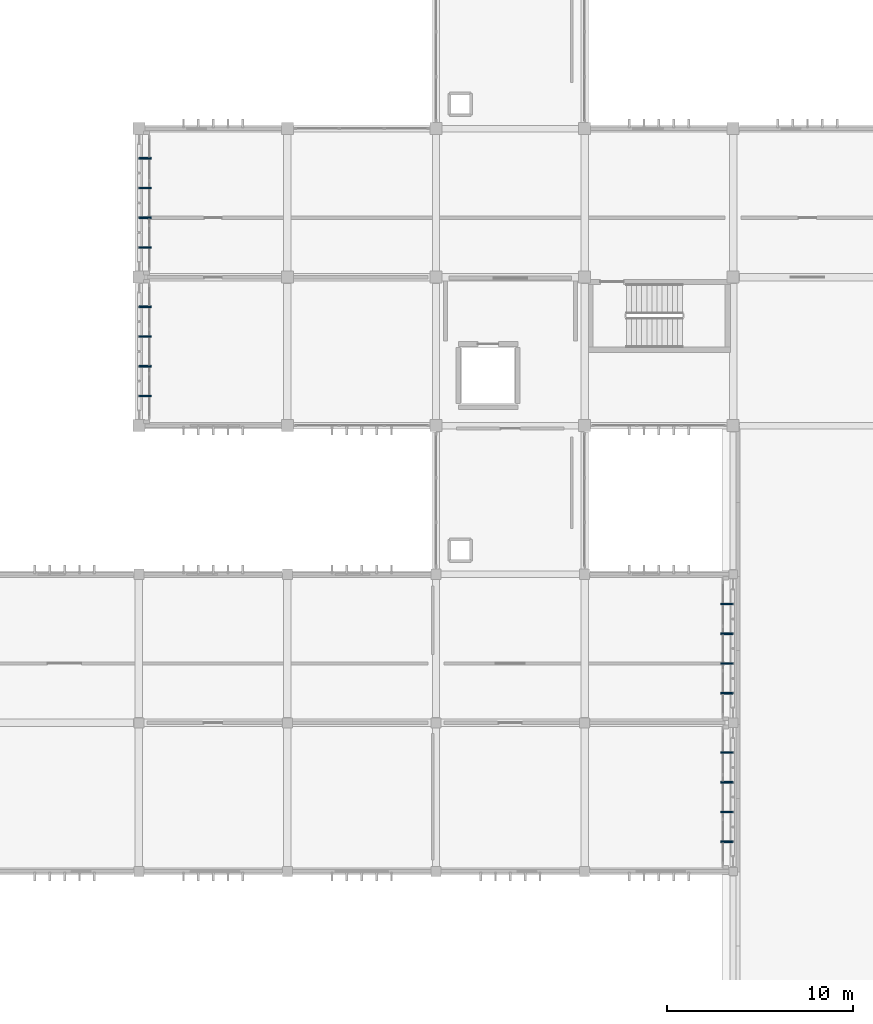
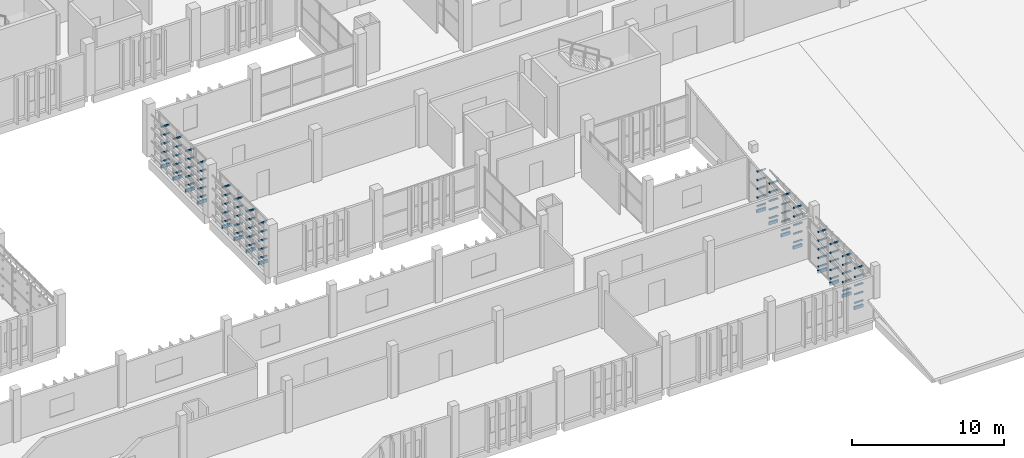
# One storey, part 77 of 83: 96 discrete accessories.
"""IFC4 building model written with IfcOpenShell, lengths in metres."""

import ifcopenshell
import ifcopenshell.guid

model = None  # the IFC model being written
_history = None  # IfcOwnerHistory: only IFC2X3 demands one
_inside = {}  # id of a spatial element -> (the spatial element, [elements in it])
_under = {}  # id of a project, library or spatial element -> (it, [spatial elements below it])
_declared = {}  # id of a project -> (the project, [libraries it declares])
_typed = {}  # id of a type object -> (the type object, [elements of that type])
_made_of = {}  # id of a material, layer set ... -> (it, [elements and type objects made of it])


def new_model(schema):
    """Start an empty IFC model of exactly this schema.

    Asked for "IFC4X3", IfcOpenShell would pick the latest addendum, in which some entities
    have other attributes; the version numbers below select the first issue.
    IFC2X3 requires an IfcOwnerHistory on every rooted entity: one is made here for all.
    """
    global model, _history
    if schema == "IFC4X3":
        model = ifcopenshell.file(schema_version=(4, 3, 0, 0))
    else:
        model = ifcopenshell.file(schema=schema)
    _inside.clear()
    _under.clear()
    _declared.clear()
    _typed.clear()
    _made_of.clear()
    _history = None
    if model.schema == "IFC2X3":
        org = make("IfcOrganization", Name="unknown")
        user = make(
            "IfcPersonAndOrganization",
            ThePerson=make("IfcPerson", FamilyName="unknown"),
            TheOrganization=org,
        )
        app = make(
            "IfcApplication",
            ApplicationDeveloper=org,
            Version="unknown",
            ApplicationFullName="unknown",
            ApplicationIdentifier="unknown",
        )
        _history = make(
            "IfcOwnerHistory",
            OwningUser=user,
            OwningApplication=app,
            ChangeAction="ADDED",
            CreationDate=0,
        )
    return model


def make(cls, **values):
    """One entity of the class cls with the attributes given. An attribute that is None is left unset."""
    return model.create_entity(
        cls, **{name: value for name, value in values.items() if value is not None}
    )


def rooted(cls, **values):
    """An entity with a GlobalId (a new one), such as an element, a storey or a relation."""
    return make(cls, GlobalId=ifcopenshell.guid.new(), OwnerHistory=_history, **values)


def si_unit(unit_type, name, prefix=None):
    """IfcSIUnit, for example si_unit("LENGTHUNIT", "METRE", prefix="MILLI")."""
    return make("IfcSIUnit", UnitType=unit_type, Prefix=prefix, Name=name)


def assignment(units):
    """IfcUnitAssignment: the units of a project."""
    return None if units is None else make("IfcUnitAssignment", Units=units)


def point(xyz):
    """IfcCartesianPoint."""
    return None if xyz is None else make("IfcCartesianPoint", Coordinates=xyz)


def direction(xyz):
    """IfcDirection."""
    return None if xyz is None else make("IfcDirection", DirectionRatios=xyz)


def frame(location, z_axis=None, x_axis=None):
    """IfcAxis2Placement3D, a coordinate frame: its origin and axes. An axis left out is left unset."""
    return make(
        "IfcAxis2Placement3D",
        Location=point(location),
        Axis=direction(z_axis),
        RefDirection=direction(x_axis),
    )


def frame_2d(location, x_axis=None):
    """IfcAxis2Placement2D, a coordinate frame in the plane: its origin and x axis."""
    return make(
        "IfcAxis2Placement2D", Location=point(location), RefDirection=direction(x_axis)
    )


def origin():
    """The frame at (0, 0, 0) with its axes left unset."""
    return frame((0.0, 0.0, 0.0))


def origin_2d():
    """The frame at (0, 0) in the plane with its x axis left unset."""
    return frame_2d((0.0, 0.0))


def place(relative_to, where):
    """IfcLocalPlacement: puts the frame where relative to a parent placement (None: the world)."""
    return make(
        "IfcLocalPlacement", PlacementRelTo=relative_to, RelativePlacement=where
    )


def context(
    kind, dimensions, precision=None, world=None, true_north=None, identifier=None
):
    """IfcGeometricRepresentationContext, for example the 3D "Model" context."""
    return make(
        "IfcGeometricRepresentationContext",
        ContextIdentifier=identifier,
        ContextType=kind,
        CoordinateSpaceDimension=dimensions,
        Precision=precision,
        WorldCoordinateSystem=world,
        TrueNorth=true_north,
    )


def subcontext(parent, identifier, kind, view, scale=None):
    """IfcGeometricRepresentationSubContext, for example "Body" below "Model"."""
    return make(
        "IfcGeometricRepresentationSubContext",
        ContextIdentifier=identifier,
        ContextType=kind,
        ParentContext=parent,
        TargetScale=scale,
        TargetView=view,
    )


def project(units=None, contexts=None):
    """IfcProject with its units and contexts."""
    return rooted(
        "IfcProject",
        Name="project",
        RepresentationContexts=contexts,
        UnitsInContext=assignment(units),
    )


def spatial(cls, under=None, at=None, **own):
    """A site, building, storey or space (cls), placed at a placement, below another one or the project."""
    s = rooted(cls, ObjectPlacement=at, **own)
    if under is not None:
        _under.setdefault(under.id(), (under, []))[1].append(s)
    return s


def profile(cls, at=None, kind="AREA", **sizes):
    """A parametric profile (cls). Its sizes go by their IFC names, for example OverallWidth=200.0."""
    return make(cls, ProfileType=kind, Position=at, **sizes)


def rectangle(**sizes):
    """IfcRectangleProfileDef."""
    return profile("IfcRectangleProfileDef", **sizes)


def extrude(swept, where, along, depth):
    """IfcExtrudedAreaSolid: the profile swept, set in the frame where, extruded along a direction by depth."""
    return make(
        "IfcExtrudedAreaSolid",
        SweptArea=swept,
        Position=where,
        ExtrudedDirection=direction(along),
        Depth=depth,
    )


def shape(context_of_items, identifier, shape_type, items):
    """IfcShapeRepresentation: the items that make up one representation, for example the "Body"."""
    return make(
        "IfcShapeRepresentation",
        ContextOfItems=context_of_items,
        RepresentationIdentifier=identifier,
        RepresentationType=shape_type,
        Items=items,
    )


def material(Name=None, Category=None):
    """IfcMaterial."""
    return make("IfcMaterial", Name=Name, Category=Category)


def made_of(thing, what):
    """Note that an element or type object is made of a material, layer set ...; save() writes the relation."""
    if what is not None:
        _made_of.setdefault(what.id(), (what, []))[1].append(thing)
    return thing


def type_object(cls, material=None, **own):
    """A type object (cls), such as IfcWallType, which elements share."""
    return made_of(rooted(cls, **own), material)


def element(
    cls,
    number,
    at=None,
    inside=None,
    cuts=None,
    type_object=None,
    material=None,
    context=None,
    identifier="Body",
    shape_type=None,
    held_by="IfcProductDefinitionShape",
    body=None,
    shapes=None,
    **own,
):
    """One element of the class cls, such as IfcWall. Its Tag is "e" and its number.

    at: its placement. inside: the storey or other place that contains it. cuts: it is an
    opening in that element (IfcRelVoidsElement). A single representation is given by context,
    identifier, shape_type and body (its items); several are given by shapes. held_by: the class
    of the entity that holds the representations. save() writes the other relations.
    """
    e = rooted(cls, Tag="e%d" % number, ObjectPlacement=at, **own)
    if body is not None:
        shapes = [shape(context, identifier, shape_type, body)]
    if shapes is not None:
        e.Representation = make(held_by, Representations=shapes)
    if inside is not None:
        _inside.setdefault(inside.id(), (inside, []))[1].append(e)
    if cuts is not None:
        rooted(
            "IfcRelVoidsElement", RelatingBuildingElement=cuts, RelatedOpeningElement=e
        )
    if type_object is not None:
        _typed.setdefault(type_object.id(), (type_object, []))[1].append(e)
    return made_of(e, material)


def aggregate(whole, parts):
    """IfcRelAggregates: a whole, such as a stair, and the parts it consists of."""
    return rooted("IfcRelAggregates", RelatingObject=whole, RelatedObjects=parts)


def save(model, path):
    """Write the relations noted so far, then the file.

    IfcRelAggregates (storeys below a building ...), IfcRelContainedInSpatialStructure (elements
    in a storey), IfcRelDefinesByType, IfcRelAssociatesMaterial and IfcRelDeclares: one each for
    every whole, place, type object, material and project.
    """
    for whole, parts in _under.values():
        aggregate(whole, parts)
    for where, things in _inside.values():
        rooted(
            "IfcRelContainedInSpatialStructure",
            RelatedElements=things,
            RelatingStructure=where,
        )
    for kind, things in _typed.values():
        rooted("IfcRelDefinesByType", RelatedObjects=things, RelatingType=kind)
    for what, things in _made_of.values():
        rooted("IfcRelAssociatesMaterial", RelatedObjects=things, RelatingMaterial=what)
    for by, libraries in _declared.values():
        rooted("IfcRelDeclares", RelatingContext=by, RelatedDefinitions=libraries)
    model.write(path)


model = new_model("IFC4")

# Units and contexts
model_context = context("Model", 3, precision=1e-05, world=origin(), true_north=direction((0.0, 1.0)))
body_context = subcontext(model_context, "Body", "Model", "MODEL_VIEW")
ifc_project = project(units=[si_unit("LENGTHUNIT", "METRE"), si_unit("AREAUNIT", "SQUARE_METRE"), si_unit("VOLUMEUNIT", "CUBIC_METRE"), si_unit("PLANEANGLEUNIT", "RADIAN"), si_unit("MASSUNIT", "GRAM", prefix="KILO")], contexts=[model_context])

# Site, building, storey
site_placement = place(None, origin())
site = spatial("IfcSite", under=ifc_project, at=site_placement, CompositionType="ELEMENT")
building_placement = place(site_placement, origin())
building = spatial("IfcBuilding", under=site, at=building_placement, Name="Jelvoka-Kovrelna Polytechnic", CompositionType="ELEMENT")
storey_placement = place(building_placement, frame((0.0, 0.0, 13.800048828125)))
storey = spatial("IfcBuildingStorey", under=building, at=storey_placement, Name="L04", CompositionType="ELEMENT", Elevation=13.800048828125)

# Discrete accessories
ifc_material = material(Name="Structural steel S355JR", Category="steel")
discrete_accessory_type = type_object("IfcDiscreteAccessoryType", Name="Bracket_Outrigger_S355", PredefinedType="BRACKET", material=ifc_material)
discrete_accessory_1_placement = place(storey_placement, frame((159.679931640625, 9.60009765625, 0.280029296875), z_axis=(0.0, 0.0, 1.0), x_axis=(1.0, 0.0, 0.0)))
element("IfcDiscreteAccessory", 1, at=discrete_accessory_1_placement, inside=storey, type_object=discrete_accessory_type, Name="L04 screen outrigger tie bracket BRKM-PLT-SCR-0081", PredefinedType="BRACKET", context=body_context, shape_type="SweptSolid", body=[
    extrude(rectangle(XDim=0.639892578125, YDim=0.080078125, at=origin_2d()), origin(), (0.0, 0.0, 1.0), 0.080078125),
])
discrete_accessory_2_placement = place(storey_placement, frame((159.659912109375, 9.60009765625, -0.199951171875), z_axis=(0.0, 0.0, 1.0), x_axis=(1.0, 0.0, 0.0)))
element("IfcDiscreteAccessory", 2, at=discrete_accessory_2_placement, inside=storey, type_object=discrete_accessory_type, Name="L04 screen outrigger tie bracket BRK-PLT-SCR-0081", PredefinedType="BRACKET", context=body_context, shape_type="SweptSolid", body=[
    extrude(rectangle(XDim=0.679931640625, YDim=0.1201171875, at=origin_2d()), origin(), (0.0, 0.0, 1.0), 0.239990234375),
])
for number, where, z_axis, x_axis, name in (
    (3, (159.679931640625, 9.60009765625, 0.972412109375), (0.0, 0.0, 1.0), (1.0, 0.0, 0.0), "L04 screen outrigger tie bracket BRKM-PLT-SCR-0082"),
    (4, (159.679931640625, 9.60009765625, 1.664794921875), (0.0, 0.0, 1.0), (1.0, 0.0, 0.0), "L04 screen outrigger tie bracket BRKM-PLT-SCR-0083"),
    (5, (159.679931640625, 9.60009765625, 2.357421875), (0.0, 0.0, 1.0), (1.0, 0.0, 0.0), "L04 screen outrigger tie bracket BRKM-PLT-SCR-0084"),
    (6, (159.679931640625, 9.60009765625, 3.0498046875), (0.0, 0.0, 1.0), (1.0, 0.0, 0.0), "L04 screen outrigger tie bracket BRKM-PLT-SCR-0085"),
    (7, (159.679931640625, 11.199951171875, 0.280029296875), (0.0, 0.0, 1.0), (1.0, 0.0, 0.0), "L04 screen outrigger tie bracket BRKM-PLT-SCR-0086"),
):
    element("IfcDiscreteAccessory", number, at=place(storey_placement, frame(where, z_axis=z_axis, x_axis=x_axis)), inside=storey, type_object=discrete_accessory_type, Name=name, PredefinedType="BRACKET", context=body_context, shape_type="SweptSolid", body=[
        extrude(rectangle(XDim=0.639892578125, YDim=0.080078125, at=origin_2d()), origin(), (0.0, 0.0, 1.0), 0.080078125),
    ])
discrete_accessory_3_placement = place(storey_placement, frame((159.659912109375, 11.199951171875, -0.199951171875), z_axis=(0.0, 0.0, 1.0), x_axis=(1.0, 0.0, 0.0)))
element("IfcDiscreteAccessory", 8, at=discrete_accessory_3_placement, inside=storey, type_object=discrete_accessory_type, Name="L04 screen outrigger tie bracket BRK-PLT-SCR-0086", PredefinedType="BRACKET", context=body_context, shape_type="SweptSolid", body=[
    extrude(rectangle(XDim=0.679931640625, YDim=0.1201171875, at=origin_2d()), origin(), (0.0, 0.0, 1.0), 0.239990234375),
])
for number, where, z_axis, x_axis, name in (
    (9, (159.679931640625, 11.199951171875, 0.972412109375), (0.0, 0.0, 1.0), (1.0, 0.0, 0.0), "L04 screen outrigger tie bracket BRKM-PLT-SCR-0087"),
    (10, (159.679931640625, 11.199951171875, 1.664794921875), (0.0, 0.0, 1.0), (1.0, 0.0, 0.0), "L04 screen outrigger tie bracket BRKM-PLT-SCR-0088"),
    (11, (159.679931640625, 11.199951171875, 2.357421875), (0.0, 0.0, 1.0), (1.0, 0.0, 0.0), "L04 screen outrigger tie bracket BRKM-PLT-SCR-0089"),
    (12, (159.679931640625, 11.199951171875, 3.0498046875), (0.0, 0.0, 1.0), (1.0, 0.0, 0.0), "L04 screen outrigger tie bracket BRKM-PLT-SCR-0090"),
    (13, (159.679931640625, 12.800048828125, 0.280029296875), (0.0, 0.0, 1.0), (1.0, 0.0, 0.0), "L04 screen outrigger tie bracket BRKM-PLT-SCR-0091"),
):
    element("IfcDiscreteAccessory", number, at=place(storey_placement, frame(where, z_axis=z_axis, x_axis=x_axis)), inside=storey, type_object=discrete_accessory_type, Name=name, PredefinedType="BRACKET", context=body_context, shape_type="SweptSolid", body=[
        extrude(rectangle(XDim=0.639892578125, YDim=0.080078125, at=origin_2d()), origin(), (0.0, 0.0, 1.0), 0.080078125),
    ])
discrete_accessory_4_placement = place(storey_placement, frame((159.659912109375, 12.800048828125, -0.199951171875), z_axis=(0.0, 0.0, 1.0), x_axis=(1.0, 0.0, 0.0)))
element("IfcDiscreteAccessory", 14, at=discrete_accessory_4_placement, inside=storey, type_object=discrete_accessory_type, Name="L04 screen outrigger tie bracket BRK-PLT-SCR-0091", PredefinedType="BRACKET", context=body_context, shape_type="SweptSolid", body=[
    extrude(rectangle(XDim=0.679931640625, YDim=0.1201171875, at=origin_2d()), origin(), (0.0, 0.0, 1.0), 0.239990234375),
])
for number, where, z_axis, x_axis, name in (
    (15, (159.679931640625, 12.800048828125, 0.972412109375), (0.0, 0.0, 1.0), (1.0, 0.0, 0.0), "L04 screen outrigger tie bracket BRKM-PLT-SCR-0092"),
    (16, (159.679931640625, 12.800048828125, 1.664794921875), (0.0, 0.0, 1.0), (1.0, 0.0, 0.0), "L04 screen outrigger tie bracket BRKM-PLT-SCR-0093"),
    (17, (159.679931640625, 12.800048828125, 2.357421875), (0.0, 0.0, 1.0), (1.0, 0.0, 0.0), "L04 screen outrigger tie bracket BRKM-PLT-SCR-0094"),
    (18, (159.679931640625, 12.800048828125, 3.0498046875), (0.0, 0.0, 1.0), (1.0, 0.0, 0.0), "L04 screen outrigger tie bracket BRKM-PLT-SCR-0095"),
    (19, (159.679931640625, 14.39990234375, 0.280029296875), (0.0, 0.0, 1.0), (1.0, 0.0, 0.0), "L04 screen outrigger tie bracket BRKM-PLT-SCR-0096"),
):
    element("IfcDiscreteAccessory", number, at=place(storey_placement, frame(where, z_axis=z_axis, x_axis=x_axis)), inside=storey, type_object=discrete_accessory_type, Name=name, PredefinedType="BRACKET", context=body_context, shape_type="SweptSolid", body=[
        extrude(rectangle(XDim=0.639892578125, YDim=0.080078125, at=origin_2d()), origin(), (0.0, 0.0, 1.0), 0.080078125),
    ])
discrete_accessory_5_placement = place(storey_placement, frame((159.659912109375, 14.39990234375, -0.199951171875), z_axis=(0.0, 0.0, 1.0), x_axis=(1.0, 0.0, 0.0)))
element("IfcDiscreteAccessory", 20, at=discrete_accessory_5_placement, inside=storey, type_object=discrete_accessory_type, Name="L04 screen outrigger tie bracket BRK-PLT-SCR-0096", PredefinedType="BRACKET", context=body_context, shape_type="SweptSolid", body=[
    extrude(rectangle(XDim=0.679931640625, YDim=0.1201171875, at=origin_2d()), origin(), (0.0, 0.0, 1.0), 0.239990234375),
])
for number, where, z_axis, x_axis, name in (
    (21, (159.679931640625, 14.39990234375, 0.972412109375), (0.0, 0.0, 1.0), (1.0, 0.0, 0.0), "L04 screen outrigger tie bracket BRKM-PLT-SCR-0097"),
    (22, (159.679931640625, 14.39990234375, 1.664794921875), (0.0, 0.0, 1.0), (1.0, 0.0, 0.0), "L04 screen outrigger tie bracket BRKM-PLT-SCR-0098"),
    (23, (159.679931640625, 14.39990234375, 2.357421875), (0.0, 0.0, 1.0), (1.0, 0.0, 0.0), "L04 screen outrigger tie bracket BRKM-PLT-SCR-0099"),
    (24, (159.679931640625, 14.39990234375, 3.0498046875), (0.0, 0.0, 1.0), (1.0, 0.0, 0.0), "L04 screen outrigger tie bracket BRKM-PLT-SCR-0100"),
    (25, (159.679931640625, 17.60009765625, 0.280029296875), (0.0, 0.0, 1.0), (1.0, 0.0, 0.0), "L04 screen outrigger tie bracket BRKM-PLT-SCR-0101"),
):
    element("IfcDiscreteAccessory", number, at=place(storey_placement, frame(where, z_axis=z_axis, x_axis=x_axis)), inside=storey, type_object=discrete_accessory_type, Name=name, PredefinedType="BRACKET", context=body_context, shape_type="SweptSolid", body=[
        extrude(rectangle(XDim=0.639892578125, YDim=0.080078125, at=origin_2d()), origin(), (0.0, 0.0, 1.0), 0.080078125),
    ])
discrete_accessory_6_placement = place(storey_placement, frame((159.659912109375, 17.60009765625, -0.199951171875), z_axis=(0.0, 0.0, 1.0), x_axis=(1.0, 0.0, 0.0)))
element("IfcDiscreteAccessory", 26, at=discrete_accessory_6_placement, inside=storey, type_object=discrete_accessory_type, Name="L04 screen outrigger tie bracket BRK-PLT-SCR-0101", PredefinedType="BRACKET", context=body_context, shape_type="SweptSolid", body=[
    extrude(rectangle(XDim=0.679931640625, YDim=0.1201171875, at=origin_2d()), origin(), (0.0, 0.0, 1.0), 0.239990234375),
])
for number, where, z_axis, x_axis, name in (
    (27, (159.679931640625, 17.60009765625, 0.972412109375), (0.0, 0.0, 1.0), (1.0, 0.0, 0.0), "L04 screen outrigger tie bracket BRKM-PLT-SCR-0102"),
    (28, (159.679931640625, 17.60009765625, 1.664794921875), (0.0, 0.0, 1.0), (1.0, 0.0, 0.0), "L04 screen outrigger tie bracket BRKM-PLT-SCR-0103"),
    (29, (159.679931640625, 17.60009765625, 2.357421875), (0.0, 0.0, 1.0), (1.0, 0.0, 0.0), "L04 screen outrigger tie bracket BRKM-PLT-SCR-0104"),
    (30, (159.679931640625, 17.60009765625, 3.0498046875), (0.0, 0.0, 1.0), (1.0, 0.0, 0.0), "L04 screen outrigger tie bracket BRKM-PLT-SCR-0105"),
    (31, (159.679931640625, 19.199951171875, 0.280029296875), (0.0, 0.0, 1.0), (1.0, 0.0, 0.0), "L04 screen outrigger tie bracket BRKM-PLT-SCR-0106"),
):
    element("IfcDiscreteAccessory", number, at=place(storey_placement, frame(where, z_axis=z_axis, x_axis=x_axis)), inside=storey, type_object=discrete_accessory_type, Name=name, PredefinedType="BRACKET", context=body_context, shape_type="SweptSolid", body=[
        extrude(rectangle(XDim=0.639892578125, YDim=0.080078125, at=origin_2d()), origin(), (0.0, 0.0, 1.0), 0.080078125),
    ])
discrete_accessory_7_placement = place(storey_placement, frame((159.659912109375, 19.199951171875, -0.199951171875), z_axis=(0.0, 0.0, 1.0), x_axis=(1.0, 0.0, 0.0)))
element("IfcDiscreteAccessory", 32, at=discrete_accessory_7_placement, inside=storey, type_object=discrete_accessory_type, Name="L04 screen outrigger tie bracket BRK-PLT-SCR-0106", PredefinedType="BRACKET", context=body_context, shape_type="SweptSolid", body=[
    extrude(rectangle(XDim=0.679931640625, YDim=0.1201171875, at=origin_2d()), origin(), (0.0, 0.0, 1.0), 0.239990234375),
])
for number, where, z_axis, x_axis, name in (
    (33, (159.679931640625, 19.199951171875, 0.972412109375), (0.0, 0.0, 1.0), (1.0, 0.0, 0.0), "L04 screen outrigger tie bracket BRKM-PLT-SCR-0107"),
    (34, (159.679931640625, 19.199951171875, 1.664794921875), (0.0, 0.0, 1.0), (1.0, 0.0, 0.0), "L04 screen outrigger tie bracket BRKM-PLT-SCR-0108"),
    (35, (159.679931640625, 19.199951171875, 2.357421875), (0.0, 0.0, 1.0), (1.0, 0.0, 0.0), "L04 screen outrigger tie bracket BRKM-PLT-SCR-0109"),
    (36, (159.679931640625, 19.199951171875, 3.0498046875), (0.0, 0.0, 1.0), (1.0, 0.0, 0.0), "L04 screen outrigger tie bracket BRKM-PLT-SCR-0110"),
    (37, (159.679931640625, 20.800048828125, 0.280029296875), (0.0, 0.0, 1.0), (1.0, 0.0, 0.0), "L04 screen outrigger tie bracket BRKM-PLT-SCR-0111"),
):
    element("IfcDiscreteAccessory", number, at=place(storey_placement, frame(where, z_axis=z_axis, x_axis=x_axis)), inside=storey, type_object=discrete_accessory_type, Name=name, PredefinedType="BRACKET", context=body_context, shape_type="SweptSolid", body=[
        extrude(rectangle(XDim=0.639892578125, YDim=0.080078125, at=origin_2d()), origin(), (0.0, 0.0, 1.0), 0.080078125),
    ])
discrete_accessory_8_placement = place(storey_placement, frame((159.659912109375, 20.800048828125, -0.199951171875), z_axis=(0.0, 0.0, 1.0), x_axis=(1.0, 0.0, 0.0)))
element("IfcDiscreteAccessory", 38, at=discrete_accessory_8_placement, inside=storey, type_object=discrete_accessory_type, Name="L04 screen outrigger tie bracket BRK-PLT-SCR-0111", PredefinedType="BRACKET", context=body_context, shape_type="SweptSolid", body=[
    extrude(rectangle(XDim=0.679931640625, YDim=0.1201171875, at=origin_2d()), origin(), (0.0, 0.0, 1.0), 0.239990234375),
])
for number, where, z_axis, x_axis, name in (
    (39, (159.679931640625, 20.800048828125, 0.972412109375), (0.0, 0.0, 1.0), (1.0, 0.0, 0.0), "L04 screen outrigger tie bracket BRKM-PLT-SCR-0112"),
    (40, (159.679931640625, 20.800048828125, 1.664794921875), (0.0, 0.0, 1.0), (1.0, 0.0, 0.0), "L04 screen outrigger tie bracket BRKM-PLT-SCR-0113"),
    (41, (159.679931640625, 20.800048828125, 2.357421875), (0.0, 0.0, 1.0), (1.0, 0.0, 0.0), "L04 screen outrigger tie bracket BRKM-PLT-SCR-0114"),
    (42, (159.679931640625, 20.800048828125, 3.0498046875), (0.0, 0.0, 1.0), (1.0, 0.0, 0.0), "L04 screen outrigger tie bracket BRKM-PLT-SCR-0115"),
    (43, (159.679931640625, 22.39990234375, 0.280029296875), (0.0, 0.0, 1.0), (1.0, 0.0, 0.0), "L04 screen outrigger tie bracket BRKM-PLT-SCR-0116"),
):
    element("IfcDiscreteAccessory", number, at=place(storey_placement, frame(where, z_axis=z_axis, x_axis=x_axis)), inside=storey, type_object=discrete_accessory_type, Name=name, PredefinedType="BRACKET", context=body_context, shape_type="SweptSolid", body=[
        extrude(rectangle(XDim=0.639892578125, YDim=0.080078125, at=origin_2d()), origin(), (0.0, 0.0, 1.0), 0.080078125),
    ])
discrete_accessory_9_placement = place(storey_placement, frame((159.659912109375, 22.39990234375, -0.199951171875), z_axis=(0.0, 0.0, 1.0), x_axis=(1.0, 0.0, 0.0)))
element("IfcDiscreteAccessory", 44, at=discrete_accessory_9_placement, inside=storey, type_object=discrete_accessory_type, Name="L04 screen outrigger tie bracket BRK-PLT-SCR-0116", PredefinedType="BRACKET", context=body_context, shape_type="SweptSolid", body=[
    extrude(rectangle(XDim=0.679931640625, YDim=0.1201171875, at=origin_2d()), origin(), (0.0, 0.0, 1.0), 0.239990234375),
])
for number, where, z_axis, x_axis, name in (
    (45, (159.679931640625, 22.39990234375, 0.972412109375), (0.0, 0.0, 1.0), (1.0, 0.0, 0.0), "L04 screen outrigger tie bracket BRKM-PLT-SCR-0117"),
    (46, (159.679931640625, 22.39990234375, 1.664794921875), (0.0, 0.0, 1.0), (1.0, 0.0, 0.0), "L04 screen outrigger tie bracket BRKM-PLT-SCR-0118"),
    (47, (159.679931640625, 22.39990234375, 2.357421875), (0.0, 0.0, 1.0), (1.0, 0.0, 0.0), "L04 screen outrigger tie bracket BRKM-PLT-SCR-0119"),
    (48, (159.679931640625, 22.39990234375, 3.0498046875), (0.0, 0.0, 1.0), (1.0, 0.0, 0.0), "L04 screen outrigger tie bracket BRKM-PLT-SCR-0120"),
    (49, (128.320068359375, 33.60009765625, 0.280029296875), (0.0, 0.0, 1.0), (1.0, 0.0, 0.0), "L04 screen outrigger tie bracket BRKM-PLT-SCR-0661"),
):
    element("IfcDiscreteAccessory", number, at=place(storey_placement, frame(where, z_axis=z_axis, x_axis=x_axis)), inside=storey, type_object=discrete_accessory_type, Name=name, PredefinedType="BRACKET", context=body_context, shape_type="SweptSolid", body=[
        extrude(rectangle(XDim=0.639892578125, YDim=0.080078125, at=origin_2d()), origin(), (0.0, 0.0, 1.0), 0.080078125),
    ])
discrete_accessory_10_placement = place(storey_placement, frame((128.340087890625, 33.60009765625, -0.199951171875), z_axis=(0.0, 0.0, 1.0), x_axis=(1.0, 0.0, 0.0)))
element("IfcDiscreteAccessory", 50, at=discrete_accessory_10_placement, inside=storey, type_object=discrete_accessory_type, Name="L04 screen outrigger tie bracket BRK-PLT-SCR-0661", PredefinedType="BRACKET", context=body_context, shape_type="SweptSolid", body=[
    extrude(rectangle(XDim=0.679931640625, YDim=0.1201171875, at=origin_2d()), origin(), (0.0, 0.0, 1.0), 0.239990234375),
])
for number, where, z_axis, x_axis, name in (
    (51, (128.320068359375, 33.60009765625, 0.972412109375), (0.0, 0.0, 1.0), (1.0, 0.0, 0.0), "L04 screen outrigger tie bracket BRKM-PLT-SCR-0662"),
    (52, (128.320068359375, 33.60009765625, 1.664794921875), (0.0, 0.0, 1.0), (1.0, 0.0, 0.0), "L04 screen outrigger tie bracket BRKM-PLT-SCR-0663"),
    (53, (128.320068359375, 33.60009765625, 2.357421875), (0.0, 0.0, 1.0), (1.0, 0.0, 0.0), "L04 screen outrigger tie bracket BRKM-PLT-SCR-0664"),
    (54, (128.320068359375, 33.60009765625, 3.0498046875), (0.0, 0.0, 1.0), (1.0, 0.0, 0.0), "L04 screen outrigger tie bracket BRKM-PLT-SCR-0665"),
    (55, (128.320068359375, 35.199951171875, 0.280029296875), (0.0, 0.0, 1.0), (1.0, 0.0, 0.0), "L04 screen outrigger tie bracket BRKM-PLT-SCR-0666"),
):
    element("IfcDiscreteAccessory", number, at=place(storey_placement, frame(where, z_axis=z_axis, x_axis=x_axis)), inside=storey, type_object=discrete_accessory_type, Name=name, PredefinedType="BRACKET", context=body_context, shape_type="SweptSolid", body=[
        extrude(rectangle(XDim=0.639892578125, YDim=0.080078125, at=origin_2d()), origin(), (0.0, 0.0, 1.0), 0.080078125),
    ])
discrete_accessory_11_placement = place(storey_placement, frame((128.340087890625, 35.199951171875, -0.199951171875), z_axis=(0.0, 0.0, 1.0), x_axis=(1.0, 0.0, 0.0)))
element("IfcDiscreteAccessory", 56, at=discrete_accessory_11_placement, inside=storey, type_object=discrete_accessory_type, Name="L04 screen outrigger tie bracket BRK-PLT-SCR-0666", PredefinedType="BRACKET", context=body_context, shape_type="SweptSolid", body=[
    extrude(rectangle(XDim=0.679931640625, YDim=0.1201171875, at=origin_2d()), origin(), (0.0, 0.0, 1.0), 0.239990234375),
])
for number, where, z_axis, x_axis, name in (
    (57, (128.320068359375, 35.199951171875, 0.972412109375), (0.0, 0.0, 1.0), (1.0, 0.0, 0.0), "L04 screen outrigger tie bracket BRKM-PLT-SCR-0667"),
    (58, (128.320068359375, 35.199951171875, 1.664794921875), (0.0, 0.0, 1.0), (1.0, 0.0, 0.0), "L04 screen outrigger tie bracket BRKM-PLT-SCR-0668"),
    (59, (128.320068359375, 35.199951171875, 2.357421875), (0.0, 0.0, 1.0), (1.0, 0.0, 0.0), "L04 screen outrigger tie bracket BRKM-PLT-SCR-0669"),
    (60, (128.320068359375, 35.199951171875, 3.0498046875), (0.0, 0.0, 1.0), (1.0, 0.0, 0.0), "L04 screen outrigger tie bracket BRKM-PLT-SCR-0670"),
    (61, (128.320068359375, 36.800048828125, 0.280029296875), (0.0, 0.0, 1.0), (1.0, 0.0, 0.0), "L04 screen outrigger tie bracket BRKM-PLT-SCR-0671"),
):
    element("IfcDiscreteAccessory", number, at=place(storey_placement, frame(where, z_axis=z_axis, x_axis=x_axis)), inside=storey, type_object=discrete_accessory_type, Name=name, PredefinedType="BRACKET", context=body_context, shape_type="SweptSolid", body=[
        extrude(rectangle(XDim=0.639892578125, YDim=0.080078125, at=origin_2d()), origin(), (0.0, 0.0, 1.0), 0.080078125),
    ])
discrete_accessory_12_placement = place(storey_placement, frame((128.340087890625, 36.800048828125, -0.199951171875), z_axis=(0.0, 0.0, 1.0), x_axis=(1.0, 0.0, 0.0)))
element("IfcDiscreteAccessory", 62, at=discrete_accessory_12_placement, inside=storey, type_object=discrete_accessory_type, Name="L04 screen outrigger tie bracket BRK-PLT-SCR-0671", PredefinedType="BRACKET", context=body_context, shape_type="SweptSolid", body=[
    extrude(rectangle(XDim=0.679931640625, YDim=0.1201171875, at=origin_2d()), origin(), (0.0, 0.0, 1.0), 0.239990234375),
])
for number, where, z_axis, x_axis, name in (
    (63, (128.320068359375, 36.800048828125, 0.972412109375), (0.0, 0.0, 1.0), (1.0, 0.0, 0.0), "L04 screen outrigger tie bracket BRKM-PLT-SCR-0672"),
    (64, (128.320068359375, 36.800048828125, 1.664794921875), (0.0, 0.0, 1.0), (1.0, 0.0, 0.0), "L04 screen outrigger tie bracket BRKM-PLT-SCR-0673"),
    (65, (128.320068359375, 36.800048828125, 2.357421875), (0.0, 0.0, 1.0), (1.0, 0.0, 0.0), "L04 screen outrigger tie bracket BRKM-PLT-SCR-0674"),
    (66, (128.320068359375, 36.800048828125, 3.0498046875), (0.0, 0.0, 1.0), (1.0, 0.0, 0.0), "L04 screen outrigger tie bracket BRKM-PLT-SCR-0675"),
    (67, (128.320068359375, 38.39990234375, 0.280029296875), (0.0, 0.0, 1.0), (1.0, 0.0, 0.0), "L04 screen outrigger tie bracket BRKM-PLT-SCR-0676"),
):
    element("IfcDiscreteAccessory", number, at=place(storey_placement, frame(where, z_axis=z_axis, x_axis=x_axis)), inside=storey, type_object=discrete_accessory_type, Name=name, PredefinedType="BRACKET", context=body_context, shape_type="SweptSolid", body=[
        extrude(rectangle(XDim=0.639892578125, YDim=0.080078125, at=origin_2d()), origin(), (0.0, 0.0, 1.0), 0.080078125),
    ])
discrete_accessory_13_placement = place(storey_placement, frame((128.340087890625, 38.39990234375, -0.199951171875), z_axis=(0.0, 0.0, 1.0), x_axis=(1.0, 0.0, 0.0)))
element("IfcDiscreteAccessory", 68, at=discrete_accessory_13_placement, inside=storey, type_object=discrete_accessory_type, Name="L04 screen outrigger tie bracket BRK-PLT-SCR-0676", PredefinedType="BRACKET", context=body_context, shape_type="SweptSolid", body=[
    extrude(rectangle(XDim=0.679931640625, YDim=0.1201171875, at=origin_2d()), origin(), (0.0, 0.0, 1.0), 0.239990234375),
])
for number, where, z_axis, x_axis, name in (
    (69, (128.320068359375, 38.39990234375, 0.972412109375), (0.0, 0.0, 1.0), (1.0, 0.0, 0.0), "L04 screen outrigger tie bracket BRKM-PLT-SCR-0677"),
    (70, (128.320068359375, 38.39990234375, 1.664794921875), (0.0, 0.0, 1.0), (1.0, 0.0, 0.0), "L04 screen outrigger tie bracket BRKM-PLT-SCR-0678"),
    (71, (128.320068359375, 38.39990234375, 2.357421875), (0.0, 0.0, 1.0), (1.0, 0.0, 0.0), "L04 screen outrigger tie bracket BRKM-PLT-SCR-0679"),
    (72, (128.320068359375, 38.39990234375, 3.0498046875), (0.0, 0.0, 1.0), (1.0, 0.0, 0.0), "L04 screen outrigger tie bracket BRKM-PLT-SCR-0680"),
    (73, (128.320068359375, 41.60009765625, 0.280029296875), (0.0, 0.0, 1.0), (1.0, 0.0, 0.0), "L04 screen outrigger tie bracket BRKM-PLT-SCR-0681"),
):
    element("IfcDiscreteAccessory", number, at=place(storey_placement, frame(where, z_axis=z_axis, x_axis=x_axis)), inside=storey, type_object=discrete_accessory_type, Name=name, PredefinedType="BRACKET", context=body_context, shape_type="SweptSolid", body=[
        extrude(rectangle(XDim=0.639892578125, YDim=0.080078125, at=origin_2d()), origin(), (0.0, 0.0, 1.0), 0.080078125),
    ])
discrete_accessory_14_placement = place(storey_placement, frame((128.340087890625, 41.60009765625, -0.199951171875), z_axis=(0.0, 0.0, 1.0), x_axis=(1.0, 0.0, 0.0)))
element("IfcDiscreteAccessory", 74, at=discrete_accessory_14_placement, inside=storey, type_object=discrete_accessory_type, Name="L04 screen outrigger tie bracket BRK-PLT-SCR-0681", PredefinedType="BRACKET", context=body_context, shape_type="SweptSolid", body=[
    extrude(rectangle(XDim=0.679931640625, YDim=0.1201171875, at=origin_2d()), origin(), (0.0, 0.0, 1.0), 0.239990234375),
])
for number, where, z_axis, x_axis, name in (
    (75, (128.320068359375, 41.60009765625, 0.972412109375), (0.0, 0.0, 1.0), (1.0, 0.0, 0.0), "L04 screen outrigger tie bracket BRKM-PLT-SCR-0682"),
    (76, (128.320068359375, 41.60009765625, 1.664794921875), (0.0, 0.0, 1.0), (1.0, 0.0, 0.0), "L04 screen outrigger tie bracket BRKM-PLT-SCR-0683"),
    (77, (128.320068359375, 41.60009765625, 2.357421875), (0.0, 0.0, 1.0), (1.0, 0.0, 0.0), "L04 screen outrigger tie bracket BRKM-PLT-SCR-0684"),
    (78, (128.320068359375, 41.60009765625, 3.0498046875), (0.0, 0.0, 1.0), (1.0, 0.0, 0.0), "L04 screen outrigger tie bracket BRKM-PLT-SCR-0685"),
    (79, (128.320068359375, 43.199951171875, 0.280029296875), (0.0, 0.0, 1.0), (1.0, 0.0, 0.0), "L04 screen outrigger tie bracket BRKM-PLT-SCR-0686"),
):
    element("IfcDiscreteAccessory", number, at=place(storey_placement, frame(where, z_axis=z_axis, x_axis=x_axis)), inside=storey, type_object=discrete_accessory_type, Name=name, PredefinedType="BRACKET", context=body_context, shape_type="SweptSolid", body=[
        extrude(rectangle(XDim=0.639892578125, YDim=0.080078125, at=origin_2d()), origin(), (0.0, 0.0, 1.0), 0.080078125),
    ])
discrete_accessory_15_placement = place(storey_placement, frame((128.340087890625, 43.199951171875, -0.199951171875), z_axis=(0.0, 0.0, 1.0), x_axis=(1.0, 0.0, 0.0)))
element("IfcDiscreteAccessory", 80, at=discrete_accessory_15_placement, inside=storey, type_object=discrete_accessory_type, Name="L04 screen outrigger tie bracket BRK-PLT-SCR-0686", PredefinedType="BRACKET", context=body_context, shape_type="SweptSolid", body=[
    extrude(rectangle(XDim=0.679931640625, YDim=0.1201171875, at=origin_2d()), origin(), (0.0, 0.0, 1.0), 0.239990234375),
])
for number, where, z_axis, x_axis, name in (
    (81, (128.320068359375, 43.199951171875, 0.972412109375), (0.0, 0.0, 1.0), (1.0, 0.0, 0.0), "L04 screen outrigger tie bracket BRKM-PLT-SCR-0687"),
    (82, (128.320068359375, 43.199951171875, 1.664794921875), (0.0, 0.0, 1.0), (1.0, 0.0, 0.0), "L04 screen outrigger tie bracket BRKM-PLT-SCR-0688"),
    (83, (128.320068359375, 43.199951171875, 2.357421875), (0.0, 0.0, 1.0), (1.0, 0.0, 0.0), "L04 screen outrigger tie bracket BRKM-PLT-SCR-0689"),
    (84, (128.320068359375, 43.199951171875, 3.0498046875), (0.0, 0.0, 1.0), (1.0, 0.0, 0.0), "L04 screen outrigger tie bracket BRKM-PLT-SCR-0690"),
    (85, (128.320068359375, 44.800048828125, 0.280029296875), (0.0, 0.0, 1.0), (1.0, 0.0, 0.0), "L04 screen outrigger tie bracket BRKM-PLT-SCR-0691"),
):
    element("IfcDiscreteAccessory", number, at=place(storey_placement, frame(where, z_axis=z_axis, x_axis=x_axis)), inside=storey, type_object=discrete_accessory_type, Name=name, PredefinedType="BRACKET", context=body_context, shape_type="SweptSolid", body=[
        extrude(rectangle(XDim=0.639892578125, YDim=0.080078125, at=origin_2d()), origin(), (0.0, 0.0, 1.0), 0.080078125),
    ])
discrete_accessory_16_placement = place(storey_placement, frame((128.340087890625, 44.800048828125, -0.199951171875), z_axis=(0.0, 0.0, 1.0), x_axis=(1.0, 0.0, 0.0)))
element("IfcDiscreteAccessory", 86, at=discrete_accessory_16_placement, inside=storey, type_object=discrete_accessory_type, Name="L04 screen outrigger tie bracket BRK-PLT-SCR-0691", PredefinedType="BRACKET", context=body_context, shape_type="SweptSolid", body=[
    extrude(rectangle(XDim=0.679931640625, YDim=0.1201171875, at=origin_2d()), origin(), (0.0, 0.0, 1.0), 0.239990234375),
])
for number, where, z_axis, x_axis, name in (
    (87, (128.320068359375, 44.800048828125, 0.972412109375), (0.0, 0.0, 1.0), (1.0, 0.0, 0.0), "L04 screen outrigger tie bracket BRKM-PLT-SCR-0692"),
    (88, (128.320068359375, 44.800048828125, 1.664794921875), (0.0, 0.0, 1.0), (1.0, 0.0, 0.0), "L04 screen outrigger tie bracket BRKM-PLT-SCR-0693"),
    (89, (128.320068359375, 44.800048828125, 2.357421875), (0.0, 0.0, 1.0), (1.0, 0.0, 0.0), "L04 screen outrigger tie bracket BRKM-PLT-SCR-0694"),
    (90, (128.320068359375, 44.800048828125, 3.0498046875), (0.0, 0.0, 1.0), (1.0, 0.0, 0.0), "L04 screen outrigger tie bracket BRKM-PLT-SCR-0695"),
    (91, (128.320068359375, 46.39990234375, 0.280029296875), (0.0, 0.0, 1.0), (1.0, 0.0, 0.0), "L04 screen outrigger tie bracket BRKM-PLT-SCR-0696"),
):
    element("IfcDiscreteAccessory", number, at=place(storey_placement, frame(where, z_axis=z_axis, x_axis=x_axis)), inside=storey, type_object=discrete_accessory_type, Name=name, PredefinedType="BRACKET", context=body_context, shape_type="SweptSolid", body=[
        extrude(rectangle(XDim=0.639892578125, YDim=0.080078125, at=origin_2d()), origin(), (0.0, 0.0, 1.0), 0.080078125),
    ])
discrete_accessory_17_placement = place(storey_placement, frame((128.340087890625, 46.39990234375, -0.199951171875), z_axis=(0.0, 0.0, 1.0), x_axis=(1.0, 0.0, 0.0)))
element("IfcDiscreteAccessory", 92, at=discrete_accessory_17_placement, inside=storey, type_object=discrete_accessory_type, Name="L04 screen outrigger tie bracket BRK-PLT-SCR-0696", PredefinedType="BRACKET", context=body_context, shape_type="SweptSolid", body=[
    extrude(rectangle(XDim=0.679931640625, YDim=0.1201171875, at=origin_2d()), origin(), (0.0, 0.0, 1.0), 0.239990234375),
])
for number, where, z_axis, x_axis, name in (
    (93, (128.320068359375, 46.39990234375, 0.972412109375), (0.0, 0.0, 1.0), (1.0, 0.0, 0.0), "L04 screen outrigger tie bracket BRKM-PLT-SCR-0697"),
    (94, (128.320068359375, 46.39990234375, 1.664794921875), (0.0, 0.0, 1.0), (1.0, 0.0, 0.0), "L04 screen outrigger tie bracket BRKM-PLT-SCR-0698"),
    (95, (128.320068359375, 46.39990234375, 2.357421875), (0.0, 0.0, 1.0), (1.0, 0.0, 0.0), "L04 screen outrigger tie bracket BRKM-PLT-SCR-0699"),
    (96, (128.320068359375, 46.39990234375, 3.0498046875), (0.0, 0.0, 1.0), (1.0, 0.0, 0.0), "L04 screen outrigger tie bracket BRKM-PLT-SCR-0700"),
):
    element("IfcDiscreteAccessory", number, at=place(storey_placement, frame(where, z_axis=z_axis, x_axis=x_axis)), inside=storey, type_object=discrete_accessory_type, Name=name, PredefinedType="BRACKET", context=body_context, shape_type="SweptSolid", body=[
        extrude(rectangle(XDim=0.639892578125, YDim=0.080078125, at=origin_2d()), origin(), (0.0, 0.0, 1.0), 0.080078125),
    ])

save(model, "model.ifc")
